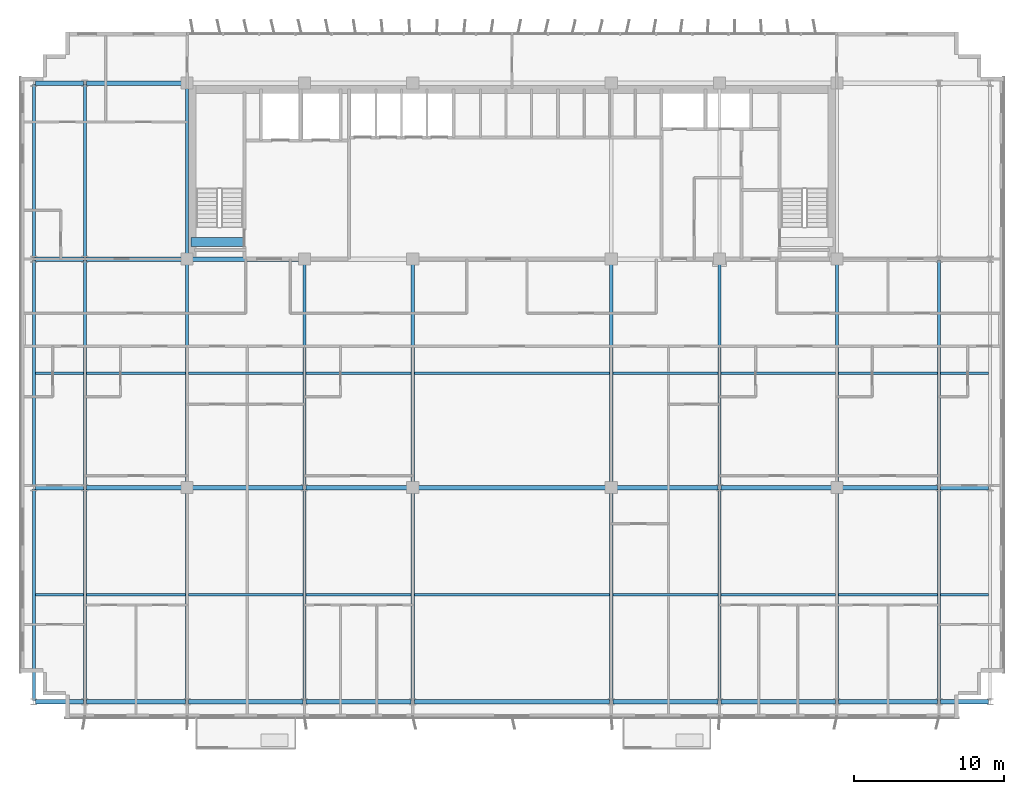
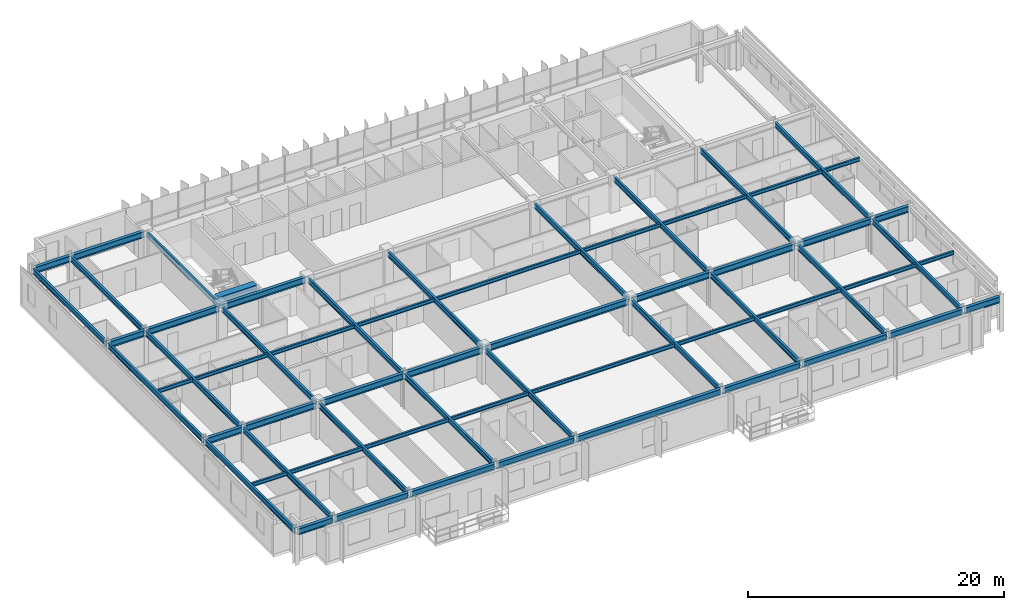
# One storey, part 4 of 22: 63 beams.
"""IFC4 building model written with IfcOpenShell, lengths in metres."""

from ifc_helpers import new_model, si_unit, direction, frame, origin, origin_2d, place, context, subcontext, project, spatial, rectangle, i_section, extrude, source, transform, mapped, material, material_profile, profile_set, type_object, element, save


model = new_model("IFC4")

# Units and contexts
model_context = context("Model", 3, precision=1e-05, world=origin(), true_north=direction((0.0, 1.0)))
body_context = subcontext(model_context, "Body", "Model", "MODEL_VIEW")
ifc_project = project(units=[si_unit("LENGTHUNIT", "METRE"), si_unit("AREAUNIT", "SQUARE_METRE"), si_unit("VOLUMEUNIT", "CUBIC_METRE"), si_unit("PLANEANGLEUNIT", "RADIAN"), si_unit("MASSUNIT", "GRAM", prefix="KILO")], contexts=[model_context])

# Site, building, storey
site_placement = place(None, origin())
site = spatial("IfcSite", under=ifc_project, at=site_placement, CompositionType="ELEMENT")
building_placement = place(site_placement, origin())
building = spatial("IfcBuilding", under=site, at=building_placement, Name="Trelvane Seafront Commons", CompositionType="ELEMENT")
storey_placement = place(building_placement, frame((0.0, 0.0, 92.5)))
storey = spatial("IfcBuildingStorey", under=building, at=storey_placement, Name="L23", CompositionType="ELEMENT", Elevation=92.5)

# Beams
ifc_material_1 = material(Name="Concrete C60/75", Category="concrete")
ifc_material_profile_1 = material_profile(ifc_material_1, rectangle(XDim=0.60009765625, YDim=0.89990234375, at=origin_2d()), Name="RC-600x900")
ifc_profile_set_1 = profile_set([ifc_material_profile_1], Name="Concrete C60/75")
beam_type_1 = type_object("IfcBeamType", Name="STR-LNT-RC600x900", PredefinedType="LINTEL", material=ifc_profile_set_1)
shared_shape_1 = source(origin(), body_context, "Body", "SweptSolid", [
    extrude(rectangle(XDim=0.60009765625, YDim=0.89990234375, at=origin_2d()), origin(), (0.0, 0.0, 1.0), 3.5498046875),
])
beam_1_placement = place(storey_placement, frame((15.85009765625, 34.550048828125, 2.889892578125), z_axis=(1.0, 0.0, 0.0), x_axis=(0.0, 1.0, 0.0)))
element("IfcBeam", 1, at=beam_1_placement, inside=storey, type_object=beam_type_1, Name="L23 Core Coupling Lintel Beam CB-85", PredefinedType="LINTEL", context=body_context, shape_type="MappedRepresentation", body=[
    mapped(shared_shape_1, transform((0.0, 0.0, 0.0), x_axis=(1.0, 0.0, 0.0), y_axis=(0.0, 1.0, 0.0), z_axis=(0.0, 0.0, 1.0), scale=1.0)),
])
ifc_material_2 = material(Name="Steel SM355 (S355)", Category="steel")
ifc_material_profile_2 = material_profile(ifc_material_2, i_section(OverallWidth=0.300048828125, OverallDepth=0.587890625, WebThickness=0.011962890625, FlangeThickness=0.02001953125, at=origin_2d()), Name="H-588x300x12x20")
ifc_profile_set_2 = profile_set([ifc_material_profile_2], Name="Steel SM355 (S355)")
beam_type_2 = type_object("IfcBeamType", Name="STR-BM-H588", PredefinedType="BEAM", material=ifc_profile_set_2)
shared_shape_2 = source(origin(), body_context, "Body", "SweptSolid", [
    extrude(i_section(OverallWidth=0.300048828125, OverallDepth=0.587890625, WebThickness=0.011962890625, FlangeThickness=0.02001953125, at=origin_2d()), origin(), (0.0, 0.0, 1.0), 7.550048828125),
])
beam_2_placement = place(storey_placement, frame((15.75, 18.199951171875, 3.0458984375), z_axis=(1.0, 0.0, 0.0), x_axis=(0.0, 1.0, 0.0)))
element("IfcBeam", 2, at=beam_2_placement, inside=storey, type_object=beam_type_2, Name="L23 Primary Girder G-12", PredefinedType="BEAM", context=body_context, shape_type="MappedRepresentation", body=[
    mapped(shared_shape_2, transform((0.0, 0.0, 0.0), x_axis=(1.0, 0.0, 0.0), y_axis=(0.0, 1.0, 0.0), z_axis=(0.0, 0.0, 1.0), scale=1.0)),
])
shared_shape_3 = source(origin(), body_context, "Body", "SweptSolid", [
    extrude(i_section(OverallWidth=0.300048828125, OverallDepth=0.587890625, WebThickness=0.011962890625, FlangeThickness=0.02001953125, at=origin_2d()), origin(), (0.0, 0.0, 1.0), 3.199951171875),
])
for number, where, z_axis, x_axis, name in (
    (3, (5.5, 3.949951171875, 3.0458984375), (1.0, 0.0, 0.0), (0.0, 1.0, 0.0), "L23 Primary Girder G-01"),
    (4, (65.699951171875, 3.949951171875, 3.0458984375), (1.0, 0.0, 0.0), (0.0, 1.0, 0.0), "L23 Primary Girder G-09"),
    (5, (5.5, 18.199951171875, 3.0458984375), (1.0, 0.0, 0.0), (0.0, 1.0, 0.0), "L23 Primary Girder G-10"),
    (6, (65.699951171875, 18.199951171875, 3.0458984375), (1.0, 0.0, 0.0), (0.0, 1.0, 0.0), "L23 Primary Girder G-18"),
    (7, (5.5, 33.39990234375, 3.0458984375), (1.0, 0.0, 0.0), (0.0, 1.0, 0.0), "L23 Primary Girder G-19"),
    (8, (5.5, 45.10009765625, 3.0458984375), (1.0, 0.0, 0.0), (0.0, 1.0, 0.0), "L23 Primary Girder G-28"),
):
    element("IfcBeam", number, at=place(storey_placement, frame(where, z_axis=z_axis, x_axis=x_axis)), inside=storey, type_object=beam_type_2, Name=name, PredefinedType="BEAM", context=body_context, shape_type="MappedRepresentation", body=[
        mapped(shared_shape_3, transform((0.0, 0.0, 0.0), x_axis=(1.0, 0.0, 0.0), y_axis=(0.0, 1.0, 0.0), z_axis=(0.0, 0.0, 1.0), scale=1.0)),
    ])
shared_shape_4 = source(origin(), body_context, "Body", "SweptSolid", [
    extrude(i_section(OverallWidth=0.300048828125, OverallDepth=0.587890625, WebThickness=0.011962890625, FlangeThickness=0.02001953125, at=origin_2d()), origin(), (0.0, 0.0, 1.0), 6.60009765625),
])
for number, where, z_axis, x_axis, name in (
    (9, (8.89990234375, 3.949951171875, 3.0458984375), (1.0, 0.0, 0.0), (0.0, 1.0, 0.0), "L23 Primary Girder G-02"),
    (10, (58.89990234375, 3.949951171875, 3.0458984375), (1.0, 0.0, 0.0), (0.0, 1.0, 0.0), "L23 Primary Girder G-08"),
):
    element("IfcBeam", number, at=place(storey_placement, frame(where, z_axis=z_axis, x_axis=x_axis)), inside=storey, type_object=beam_type_2, Name=name, PredefinedType="BEAM", context=body_context, shape_type="MappedRepresentation", body=[
        mapped(shared_shape_4, transform((0.0, 0.0, 0.0), x_axis=(1.0, 0.0, 0.0), y_axis=(0.0, 1.0, 0.0), z_axis=(0.0, 0.0, 1.0), scale=1.0)),
    ])
shared_shape_5 = source(origin(), body_context, "Body", "SweptSolid", [
    extrude(i_section(OverallWidth=0.300048828125, OverallDepth=0.587890625, WebThickness=0.011962890625, FlangeThickness=0.02001953125, at=origin_2d()), origin(), (0.0, 0.0, 1.0), 7.60009765625),
])
beam_3_placement = place(storey_placement, frame((15.699951171875, 3.949951171875, 3.0458984375), z_axis=(1.0, 0.0, 0.0), x_axis=(0.0, 1.0, 0.0)))
element("IfcBeam", 11, at=beam_3_placement, inside=storey, type_object=beam_type_2, Name="L23 Primary Girder G-03", PredefinedType="BEAM", context=body_context, shape_type="MappedRepresentation", body=[
    mapped(shared_shape_5, transform((0.0, 0.0, 0.0), x_axis=(1.0, 0.0, 0.0), y_axis=(0.0, 1.0, 0.0), z_axis=(0.0, 0.0, 1.0), scale=1.0)),
])
shared_shape_6 = source(origin(), body_context, "Body", "SweptSolid", [
    extrude(i_section(OverallWidth=0.300048828125, OverallDepth=0.587890625, WebThickness=0.011962890625, FlangeThickness=0.02001953125, at=origin_2d()), origin(), (0.0, 0.0, 1.0), 7.0),
])
for number, where, z_axis, x_axis, name in (
    (12, (23.5, 3.949951171875, 3.0458984375), (1.0, 0.0, 0.0), (0.0, 1.0, 0.0), "L23 Primary Girder G-04"),
    (13, (43.89990234375, 3.949951171875, 3.0458984375), (1.0, 0.0, 0.0), (0.0, 1.0, 0.0), "L23 Primary Girder G-06"),
):
    element("IfcBeam", number, at=place(storey_placement, frame(where, z_axis=z_axis, x_axis=x_axis)), inside=storey, type_object=beam_type_2, Name=name, PredefinedType="BEAM", context=body_context, shape_type="MappedRepresentation", body=[
        mapped(shared_shape_6, transform((0.0, 0.0, 0.0), x_axis=(1.0, 0.0, 0.0), y_axis=(0.0, 1.0, 0.0), z_axis=(0.0, 0.0, 1.0), scale=1.0)),
    ])
shared_shape_7 = source(origin(), body_context, "Body", "SweptSolid", [
    extrude(i_section(OverallWidth=0.300048828125, OverallDepth=0.587890625, WebThickness=0.011962890625, FlangeThickness=0.02001953125, at=origin_2d()), origin(), (0.0, 0.0, 1.0), 13.0),
])
beam_4_placement = place(storey_placement, frame((30.699951171875, 3.949951171875, 3.0458984375), z_axis=(1.0, 0.0, 0.0), x_axis=(0.0, 1.0, 0.0)))
element("IfcBeam", 14, at=beam_4_placement, inside=storey, type_object=beam_type_2, Name="L23 Primary Girder G-05", PredefinedType="BEAM", context=body_context, shape_type="MappedRepresentation", body=[
    mapped(shared_shape_7, transform((0.0, 0.0, 0.0), x_axis=(1.0, 0.0, 0.0), y_axis=(0.0, 1.0, 0.0), z_axis=(0.0, 0.0, 1.0), scale=1.0)),
])
shared_shape_8 = source(origin(), body_context, "Body", "SweptSolid", [
    extrude(i_section(OverallWidth=0.300048828125, OverallDepth=0.587890625, WebThickness=0.011962890625, FlangeThickness=0.02001953125, at=origin_2d()), origin(), (0.0, 0.0, 1.0), 7.599853515625),
])
beam_5_placement = place(storey_placement, frame((51.10009765625, 3.949951171875, 3.0458984375), z_axis=(1.0, 0.0, 0.0), x_axis=(0.0, 1.0, 0.0)))
element("IfcBeam", 15, at=beam_5_placement, inside=storey, type_object=beam_type_2, Name="L23 Primary Girder G-07", PredefinedType="BEAM", context=body_context, shape_type="MappedRepresentation", body=[
    mapped(shared_shape_8, transform((0.0, 0.0, 0.0), x_axis=(1.0, 0.0, 0.0), y_axis=(0.0, 1.0, 0.0), z_axis=(0.0, 0.0, 1.0), scale=1.0)),
])
shared_shape_9 = source(origin(), body_context, "Body", "SweptSolid", [
    extrude(i_section(OverallWidth=0.300048828125, OverallDepth=0.587890625, WebThickness=0.011962890625, FlangeThickness=0.02001953125, at=origin_2d()), origin(), (0.0, 0.0, 1.0), 6.550048828125),
])
for number, where, z_axis, x_axis, name in (
    (16, (8.89990234375, 18.199951171875, 3.0458984375), (1.0, 0.0, 0.0), (0.0, 1.0, 0.0), "L23 Primary Girder G-11"),
    (17, (58.949951171875, 18.199951171875, 3.0458984375), (1.0, 0.0, 0.0), (0.0, 1.0, 0.0), "L23 Primary Girder G-17"),
    (18, (8.89990234375, 33.39990234375, 3.0458984375), (1.0, 0.0, 0.0), (0.0, 1.0, 0.0), "L23 Primary Girder G-20"),
    (19, (8.89990234375, 45.10009765625, 3.0458984375), (1.0, 0.0, 0.0), (0.0, 1.0, 0.0), "L23 Primary Girder G-29"),
):
    element("IfcBeam", number, at=place(storey_placement, frame(where, z_axis=z_axis, x_axis=x_axis)), inside=storey, type_object=beam_type_2, Name=name, PredefinedType="BEAM", context=body_context, shape_type="MappedRepresentation", body=[
        mapped(shared_shape_9, transform((0.0, 0.0, 0.0), x_axis=(1.0, 0.0, 0.0), y_axis=(0.0, 1.0, 0.0), z_axis=(0.0, 0.0, 1.0), scale=1.0)),
    ])
shared_shape_10 = source(origin(), body_context, "Body", "SweptSolid", [
    extrude(i_section(OverallWidth=0.300048828125, OverallDepth=0.587890625, WebThickness=0.011962890625, FlangeThickness=0.02001953125, at=origin_2d()), origin(), (0.0, 0.0, 1.0), 6.949951171875),
])
for number, where, z_axis, x_axis, name in (
    (20, (23.5, 18.199951171875, 3.0458984375), (1.0, 0.0, 0.0), (0.0, 1.0, 0.0), "L23 Primary Girder G-13"),
    (21, (43.949951171875, 18.199951171875, 3.0458984375), (1.0, 0.0, 0.0), (0.0, 1.0, 0.0), "L23 Primary Girder G-15"),
):
    element("IfcBeam", number, at=place(storey_placement, frame(where, z_axis=z_axis, x_axis=x_axis)), inside=storey, type_object=beam_type_2, Name=name, PredefinedType="BEAM", context=body_context, shape_type="MappedRepresentation", body=[
        mapped(shared_shape_10, transform((0.0, 0.0, 0.0), x_axis=(1.0, 0.0, 0.0), y_axis=(0.0, 1.0, 0.0), z_axis=(0.0, 0.0, 1.0), scale=1.0)),
    ])
shared_shape_11 = source(origin(), body_context, "Body", "SweptSolid", [
    extrude(i_section(OverallWidth=0.300048828125, OverallDepth=0.587890625, WebThickness=0.011962890625, FlangeThickness=0.02001953125, at=origin_2d()), origin(), (0.0, 0.0, 1.0), 12.89990234375),
])
beam_6_placement = place(storey_placement, frame((30.75, 18.199951171875, 3.0458984375), z_axis=(1.0, 0.0, 0.0), x_axis=(0.0, 1.0, 0.0)))
element("IfcBeam", 22, at=beam_6_placement, inside=storey, type_object=beam_type_2, Name="L23 Primary Girder G-14", PredefinedType="BEAM", context=body_context, shape_type="MappedRepresentation", body=[
    mapped(shared_shape_11, transform((0.0, 0.0, 0.0), x_axis=(1.0, 0.0, 0.0), y_axis=(0.0, 1.0, 0.0), z_axis=(0.0, 0.0, 1.0), scale=1.0)),
])
shared_shape_12 = source(origin(), body_context, "Body", "SweptSolid", [
    extrude(i_section(OverallWidth=0.300048828125, OverallDepth=0.587890625, WebThickness=0.011962890625, FlangeThickness=0.02001953125, at=origin_2d()), origin(), (0.0, 0.0, 1.0), 7.5498046875),
])
beam_7_placement = place(storey_placement, frame((51.10009765625, 18.199951171875, 3.0458984375), z_axis=(1.0, 0.0, 0.0), x_axis=(0.0, 1.0, 0.0)))
element("IfcBeam", 23, at=beam_7_placement, inside=storey, type_object=beam_type_2, Name="L23 Primary Girder G-16", PredefinedType="BEAM", context=body_context, shape_type="MappedRepresentation", body=[
    mapped(shared_shape_12, transform((0.0, 0.0, 0.0), x_axis=(1.0, 0.0, 0.0), y_axis=(0.0, 1.0, 0.0), z_axis=(0.0, 0.0, 1.0), scale=1.0)),
])
shared_shape_13 = source(origin(), body_context, "Body", "SweptSolid", [
    extrude(i_section(OverallWidth=0.300048828125, OverallDepth=0.587890625, WebThickness=0.011962890625, FlangeThickness=0.02001953125, at=origin_2d()), origin(), (0.0, 0.0, 1.0), 7.5),
])
beam_8_placement = place(storey_placement, frame((15.75, 33.39990234375, 3.0458984375), z_axis=(1.0, 0.0, 0.0), x_axis=(0.0, 1.0, 0.0)))
element("IfcBeam", 24, at=beam_8_placement, inside=storey, type_object=beam_type_2, Name="L23 Primary Girder G-21", PredefinedType="BEAM", context=body_context, shape_type="MappedRepresentation", body=[
    mapped(shared_shape_13, transform((0.0, 0.0, 0.0), x_axis=(1.0, 0.0, 0.0), y_axis=(0.0, 1.0, 0.0), z_axis=(0.0, 0.0, 1.0), scale=1.0)),
])
ifc_material_profile_3 = material_profile(ifc_material_2, i_section(OverallWidth=0.199951171875, OverallDepth=0.5, WebThickness=0.010009765625, FlangeThickness=0.01611328125, at=origin_2d()), Name="H-500x200x10x16")
ifc_profile_set_3 = profile_set([ifc_material_profile_3], Name="Steel SM355 (S355)")
beam_type_3 = type_object("IfcBeamType", Name="STR-BM-H500", PredefinedType="BEAM", material=ifc_profile_set_3)
shared_shape_14 = source(origin(), body_context, "Body", "SweptSolid", [
    extrude(i_section(OverallWidth=0.199951171875, OverallDepth=0.5, WebThickness=0.010009765625, FlangeThickness=0.01611328125, at=origin_2d()), origin(), (0.0, 0.0, 1.0), 14.050048828125),
])
for number, where, z_axis, x_axis, name in (
    (25, (5.39990234375, 4.050048828125, 3.090087890625), (0.0, 1.0, 0.0), (-1.0, 0.0, 0.0), "L23 Primary Girder G-37"),
    (26, (8.800048828125, 4.050048828125, 3.090087890625), (0.0, 1.0, 0.0), (-1.0, 0.0, 0.0), "L23 Primary Girder G-40"),
    (27, (23.39990234375, 4.050048828125, 3.090087890625), (0.0, 1.0, 0.0), (-1.0, 0.0, 0.0), "L23 Primary Girder G-46"),
    (28, (51.0, 4.050048828125, 3.090087890625), (0.0, 1.0, 0.0), (-1.0, 0.0, 0.0), "L23 Primary Girder G-55"),
    (29, (65.60009765625, 4.050048828125, 3.090087890625), (0.0, 1.0, 0.0), (-1.0, 0.0, 0.0), "L23 Primary Girder G-61"),
):
    element("IfcBeam", number, at=place(storey_placement, frame(where, z_axis=z_axis, x_axis=x_axis)), inside=storey, type_object=beam_type_3, Name=name, PredefinedType="BEAM", context=body_context, shape_type="MappedRepresentation", body=[
        mapped(shared_shape_14, transform((0.0, 0.0, 0.0), x_axis=(1.0, 0.0, 0.0), y_axis=(0.0, 1.0, 0.0), z_axis=(0.0, 0.0, 1.0), scale=1.0)),
    ])
shared_shape_15 = source(origin(), body_context, "Body", "SweptSolid", [
    extrude(i_section(OverallWidth=0.199951171875, OverallDepth=0.5, WebThickness=0.010009765625, FlangeThickness=0.01611328125, at=origin_2d()), origin(), (0.0, 0.0, 1.0), 15.0),
])
for number, where, z_axis, x_axis, name in (
    (30, (5.39990234375, 18.300048828125, 3.090087890625), (0.0, 1.0, 0.0), (-1.0, 0.0, 0.0), "L23 Primary Girder G-38"),
    (31, (8.800048828125, 18.300048828125, 3.090087890625), (0.0, 1.0, 0.0), (-1.0, 0.0, 0.0), "L23 Primary Girder G-41"),
    (32, (65.60009765625, 18.300048828125, 3.090087890625), (0.0, 1.0, 0.0), (-1.0, 0.0, 0.0), "L23 Primary Girder G-62"),
):
    element("IfcBeam", number, at=place(storey_placement, frame(where, z_axis=z_axis, x_axis=x_axis)), inside=storey, type_object=beam_type_3, Name=name, PredefinedType="BEAM", context=body_context, shape_type="MappedRepresentation", body=[
        mapped(shared_shape_15, transform((0.0, 0.0, 0.0), x_axis=(1.0, 0.0, 0.0), y_axis=(0.0, 1.0, 0.0), z_axis=(0.0, 0.0, 1.0), scale=1.0)),
    ])
shared_shape_16 = source(origin(), body_context, "Body", "SweptSolid", [
    extrude(i_section(OverallWidth=0.199951171875, OverallDepth=0.5, WebThickness=0.010009765625, FlangeThickness=0.01611328125, at=origin_2d()), origin(), (0.0, 0.0, 1.0), 11.5),
])
for number, where, z_axis, x_axis, name in (
    (33, (5.39990234375, 33.5, 3.090087890625), (0.0, 1.0, 0.0), (-1.0, 0.0, 0.0), "L23 Primary Girder G-39"),
    (34, (8.800048828125, 33.5, 3.090087890625), (0.0, 1.0, 0.0), (-1.0, 0.0, 0.0), "L23 Primary Girder G-42"),
):
    element("IfcBeam", number, at=place(storey_placement, frame(where, z_axis=z_axis, x_axis=x_axis)), inside=storey, type_object=beam_type_3, Name=name, PredefinedType="BEAM", context=body_context, shape_type="MappedRepresentation", body=[
        mapped(shared_shape_16, transform((0.0, 0.0, 0.0), x_axis=(1.0, 0.0, 0.0), y_axis=(0.0, 1.0, 0.0), z_axis=(0.0, 0.0, 1.0), scale=1.0)),
    ])
shared_shape_17 = source(origin(), body_context, "Body", "SweptSolid", [
    extrude(i_section(OverallWidth=0.199951171875, OverallDepth=0.5, WebThickness=0.010009765625, FlangeThickness=0.01611328125, at=origin_2d()), origin(), (0.0, 0.0, 1.0), 14.0),
])
for number, where, z_axis, x_axis, name in (
    (35, (15.60009765625, 4.050048828125, 3.090087890625), (0.0, 1.0, 0.0), (-1.0, 0.0, 0.0), "L23 Primary Girder G-43"),
    (36, (30.60009765625, 4.050048828125, 3.090087890625), (0.0, 1.0, 0.0), (-1.0, 0.0, 0.0), "L23 Primary Girder G-49"),
    (37, (43.800048828125, 4.050048828125, 3.090087890625), (0.0, 1.0, 0.0), (-1.0, 0.0, 0.0), "L23 Primary Girder G-52"),
    (38, (58.800048828125, 4.050048828125, 3.090087890625), (0.0, 1.0, 0.0), (-1.0, 0.0, 0.0), "L23 Primary Girder G-58"),
):
    element("IfcBeam", number, at=place(storey_placement, frame(where, z_axis=z_axis, x_axis=x_axis)), inside=storey, type_object=beam_type_3, Name=name, PredefinedType="BEAM", context=body_context, shape_type="MappedRepresentation", body=[
        mapped(shared_shape_17, transform((0.0, 0.0, 0.0), x_axis=(1.0, 0.0, 0.0), y_axis=(0.0, 1.0, 0.0), z_axis=(0.0, 0.0, 1.0), scale=1.0)),
    ])
shared_shape_18 = source(origin(), body_context, "Body", "SweptSolid", [
    extrude(i_section(OverallWidth=0.199951171875, OverallDepth=0.5, WebThickness=0.010009765625, FlangeThickness=0.01611328125, at=origin_2d()), origin(), (0.0, 0.0, 1.0), 14.89990234375),
])
for number, where, z_axis, x_axis, name in (
    (39, (15.60009765625, 18.35009765625, 3.090087890625), (0.0, 1.0, 0.0), (-1.0, 0.0, 0.0), "L23 Primary Girder G-44"),
    (40, (30.60009765625, 18.35009765625, 3.090087890625), (0.0, 1.0, 0.0), (-1.0, 0.0, 0.0), "L23 Primary Girder G-50"),
    (41, (43.800048828125, 18.35009765625, 3.090087890625), (0.0, 1.0, 0.0), (-1.0, 0.0, 0.0), "L23 Primary Girder G-53"),
    (42, (58.800048828125, 18.35009765625, 3.090087890625), (0.0, 1.0, 0.0), (-1.0, 0.0, 0.0), "L23 Primary Girder G-59"),
):
    element("IfcBeam", number, at=place(storey_placement, frame(where, z_axis=z_axis, x_axis=x_axis)), inside=storey, type_object=beam_type_3, Name=name, PredefinedType="BEAM", context=body_context, shape_type="MappedRepresentation", body=[
        mapped(shared_shape_18, transform((0.0, 0.0, 0.0), x_axis=(1.0, 0.0, 0.0), y_axis=(0.0, 1.0, 0.0), z_axis=(0.0, 0.0, 1.0), scale=1.0)),
    ])
shared_shape_19 = source(origin(), body_context, "Body", "SweptSolid", [
    extrude(i_section(OverallWidth=0.199951171875, OverallDepth=0.5, WebThickness=0.010009765625, FlangeThickness=0.01611328125, at=origin_2d()), origin(), (0.0, 0.0, 1.0), 11.39990234375),
])
beam_9_placement = place(storey_placement, frame((15.60009765625, 33.550048828125, 3.090087890625), z_axis=(0.0, 1.0, 0.0), x_axis=(-1.0, 0.0, 0.0)))
element("IfcBeam", 43, at=beam_9_placement, inside=storey, type_object=beam_type_3, Name="L23 Primary Girder G-45", PredefinedType="BEAM", context=body_context, shape_type="MappedRepresentation", body=[
    mapped(shared_shape_19, transform((0.0, 0.0, 0.0), x_axis=(1.0, 0.0, 0.0), y_axis=(0.0, 1.0, 0.0), z_axis=(0.0, 0.0, 1.0), scale=1.0)),
])
shared_shape_20 = source(origin(), body_context, "Body", "SweptSolid", [
    extrude(i_section(OverallWidth=0.199951171875, OverallDepth=0.5, WebThickness=0.010009765625, FlangeThickness=0.01611328125, at=origin_2d()), origin(), (0.0, 0.0, 1.0), 14.949951171875),
])
for number, where, z_axis, x_axis, name in (
    (44, (23.39990234375, 18.300048828125, 3.090087890625), (0.0, 1.0, 0.0), (-1.0, 0.0, 0.0), "L23 Primary Girder G-47"),
    (45, (51.0, 18.300048828125, 3.090087890625), (0.0, 1.0, 0.0), (-1.0, 0.0, 0.0), "L23 Primary Girder G-56"),
):
    element("IfcBeam", number, at=place(storey_placement, frame(where, z_axis=z_axis, x_axis=x_axis)), inside=storey, type_object=beam_type_3, Name=name, PredefinedType="BEAM", context=body_context, shape_type="MappedRepresentation", body=[
        mapped(shared_shape_20, transform((0.0, 0.0, 0.0), x_axis=(1.0, 0.0, 0.0), y_axis=(0.0, 1.0, 0.0), z_axis=(0.0, 0.0, 1.0), scale=1.0)),
    ])
ifc_material_profile_4 = material_profile(ifc_material_2, i_section(OverallWidth=0.175048828125, OverallDepth=0.35009765625, WebThickness=0.007080078125, FlangeThickness=0.010986328125, at=origin_2d()), Name="H-350x175x7x11")
ifc_profile_set_4 = profile_set([ifc_material_profile_4], Name="Steel SM355 (S355)")
beam_type_4 = type_object("IfcBeamType", Name="STR-JST-H350", PredefinedType="JOIST", material=ifc_profile_set_4)
shared_shape_21 = source(origin(), body_context, "Body", "SweptSolid", [
    extrude(i_section(OverallWidth=0.175048828125, OverallDepth=0.35009765625, WebThickness=0.007080078125, FlangeThickness=0.010986328125, at=origin_2d()), origin(), (0.0, 0.0, 1.0), 3.199951171875),
])
for number, where, z_axis, x_axis, name in (
    (46, (5.5, 11.074951171875, 3.1650390625), (1.0, 0.0, 0.0), (0.0, 1.0, 0.0), "L23 Secondary Floor Joist B-67"),
    (47, (65.699951171875, 11.074951171875, 3.1650390625), (1.0, 0.0, 0.0), (0.0, 1.0, 0.0), "L23 Secondary Floor Joist B-75"),
    (48, (5.5, 25.800048828125, 3.1650390625), (1.0, 0.0, 0.0), (0.0, 1.0, 0.0), "L23 Secondary Floor Joist B-76"),
    (49, (65.699951171875, 25.800048828125, 3.1650390625), (1.0, 0.0, 0.0), (0.0, 1.0, 0.0), "L23 Secondary Floor Joist B-84"),
):
    element("IfcBeam", number, at=place(storey_placement, frame(where, z_axis=z_axis, x_axis=x_axis)), inside=storey, type_object=beam_type_4, Name=name, PredefinedType="JOIST", context=body_context, shape_type="MappedRepresentation", body=[
        mapped(shared_shape_21, transform((0.0, 0.0, 0.0), x_axis=(1.0, 0.0, 0.0), y_axis=(0.0, 1.0, 0.0), z_axis=(0.0, 0.0, 1.0), scale=1.0)),
    ])
shared_shape_22 = source(origin(), body_context, "Body", "SweptSolid", [
    extrude(i_section(OverallWidth=0.175048828125, OverallDepth=0.35009765625, WebThickness=0.007080078125, FlangeThickness=0.010986328125, at=origin_2d()), origin(), (0.0, 0.0, 1.0), 6.60009765625),
])
for number, where, z_axis, x_axis, name in (
    (50, (8.89990234375, 11.074951171875, 3.1650390625), (1.0, 0.0, 0.0), (0.0, 1.0, 0.0), "L23 Secondary Floor Joist B-68"),
    (51, (58.89990234375, 11.074951171875, 3.1650390625), (1.0, 0.0, 0.0), (0.0, 1.0, 0.0), "L23 Secondary Floor Joist B-74"),
    (52, (8.89990234375, 25.800048828125, 3.1650390625), (1.0, 0.0, 0.0), (0.0, 1.0, 0.0), "L23 Secondary Floor Joist B-77"),
    (53, (58.89990234375, 25.800048828125, 3.1650390625), (1.0, 0.0, 0.0), (0.0, 1.0, 0.0), "L23 Secondary Floor Joist B-83"),
):
    element("IfcBeam", number, at=place(storey_placement, frame(where, z_axis=z_axis, x_axis=x_axis)), inside=storey, type_object=beam_type_4, Name=name, PredefinedType="JOIST", context=body_context, shape_type="MappedRepresentation", body=[
        mapped(shared_shape_22, transform((0.0, 0.0, 0.0), x_axis=(1.0, 0.0, 0.0), y_axis=(0.0, 1.0, 0.0), z_axis=(0.0, 0.0, 1.0), scale=1.0)),
    ])
shared_shape_23 = source(origin(), body_context, "Body", "SweptSolid", [
    extrude(i_section(OverallWidth=0.175048828125, OverallDepth=0.35009765625, WebThickness=0.007080078125, FlangeThickness=0.010986328125, at=origin_2d()), origin(), (0.0, 0.0, 1.0), 7.60009765625),
])
for number, where, z_axis, x_axis, name in (
    (54, (15.699951171875, 11.074951171875, 3.1650390625), (1.0, 0.0, 0.0), (0.0, 1.0, 0.0), "L23 Secondary Floor Joist B-69"),
    (55, (15.699951171875, 25.800048828125, 3.1650390625), (1.0, 0.0, 0.0), (0.0, 1.0, 0.0), "L23 Secondary Floor Joist B-78"),
):
    element("IfcBeam", number, at=place(storey_placement, frame(where, z_axis=z_axis, x_axis=x_axis)), inside=storey, type_object=beam_type_4, Name=name, PredefinedType="JOIST", context=body_context, shape_type="MappedRepresentation", body=[
        mapped(shared_shape_23, transform((0.0, 0.0, 0.0), x_axis=(1.0, 0.0, 0.0), y_axis=(0.0, 1.0, 0.0), z_axis=(0.0, 0.0, 1.0), scale=1.0)),
    ])
shared_shape_24 = source(origin(), body_context, "Body", "SweptSolid", [
    extrude(i_section(OverallWidth=0.175048828125, OverallDepth=0.35009765625, WebThickness=0.007080078125, FlangeThickness=0.010986328125, at=origin_2d()), origin(), (0.0, 0.0, 1.0), 7.0),
])
for number, where, z_axis, x_axis, name in (
    (56, (23.5, 11.074951171875, 3.1650390625), (1.0, 0.0, 0.0), (0.0, 1.0, 0.0), "L23 Secondary Floor Joist B-70"),
    (57, (43.89990234375, 11.074951171875, 3.1650390625), (1.0, 0.0, 0.0), (0.0, 1.0, 0.0), "L23 Secondary Floor Joist B-72"),
    (58, (23.5, 25.800048828125, 3.1650390625), (1.0, 0.0, 0.0), (0.0, 1.0, 0.0), "L23 Secondary Floor Joist B-79"),
    (59, (43.89990234375, 25.800048828125, 3.1650390625), (1.0, 0.0, 0.0), (0.0, 1.0, 0.0), "L23 Secondary Floor Joist B-81"),
):
    element("IfcBeam", number, at=place(storey_placement, frame(where, z_axis=z_axis, x_axis=x_axis)), inside=storey, type_object=beam_type_4, Name=name, PredefinedType="JOIST", context=body_context, shape_type="MappedRepresentation", body=[
        mapped(shared_shape_24, transform((0.0, 0.0, 0.0), x_axis=(1.0, 0.0, 0.0), y_axis=(0.0, 1.0, 0.0), z_axis=(0.0, 0.0, 1.0), scale=1.0)),
    ])
shared_shape_25 = source(origin(), body_context, "Body", "SweptSolid", [
    extrude(i_section(OverallWidth=0.175048828125, OverallDepth=0.35009765625, WebThickness=0.007080078125, FlangeThickness=0.010986328125, at=origin_2d()), origin(), (0.0, 0.0, 1.0), 13.0),
])
for number, where, z_axis, x_axis, name in (
    (60, (30.699951171875, 11.074951171875, 3.1650390625), (1.0, 0.0, 0.0), (0.0, 1.0, 0.0), "L23 Secondary Floor Joist B-71"),
    (61, (30.699951171875, 25.800048828125, 3.1650390625), (1.0, 0.0, 0.0), (0.0, 1.0, 0.0), "L23 Secondary Floor Joist B-80"),
):
    element("IfcBeam", number, at=place(storey_placement, frame(where, z_axis=z_axis, x_axis=x_axis)), inside=storey, type_object=beam_type_4, Name=name, PredefinedType="JOIST", context=body_context, shape_type="MappedRepresentation", body=[
        mapped(shared_shape_25, transform((0.0, 0.0, 0.0), x_axis=(1.0, 0.0, 0.0), y_axis=(0.0, 1.0, 0.0), z_axis=(0.0, 0.0, 1.0), scale=1.0)),
    ])
shared_shape_26 = source(origin(), body_context, "Body", "SweptSolid", [
    extrude(i_section(OverallWidth=0.175048828125, OverallDepth=0.35009765625, WebThickness=0.007080078125, FlangeThickness=0.010986328125, at=origin_2d()), origin(), (0.0, 0.0, 1.0), 7.599853515625),
])
for number, where, z_axis, x_axis, name in (
    (62, (51.10009765625, 11.074951171875, 3.1650390625), (1.0, 0.0, 0.0), (0.0, 1.0, 0.0), "L23 Secondary Floor Joist B-73"),
    (63, (51.10009765625, 25.800048828125, 3.1650390625), (1.0, 0.0, 0.0), (0.0, 1.0, 0.0), "L23 Secondary Floor Joist B-82"),
):
    element("IfcBeam", number, at=place(storey_placement, frame(where, z_axis=z_axis, x_axis=x_axis)), inside=storey, type_object=beam_type_4, Name=name, PredefinedType="JOIST", context=body_context, shape_type="MappedRepresentation", body=[
        mapped(shared_shape_26, transform((0.0, 0.0, 0.0), x_axis=(1.0, 0.0, 0.0), y_axis=(0.0, 1.0, 0.0), z_axis=(0.0, 0.0, 1.0), scale=1.0)),
    ])

save(model, "model.ifc")
